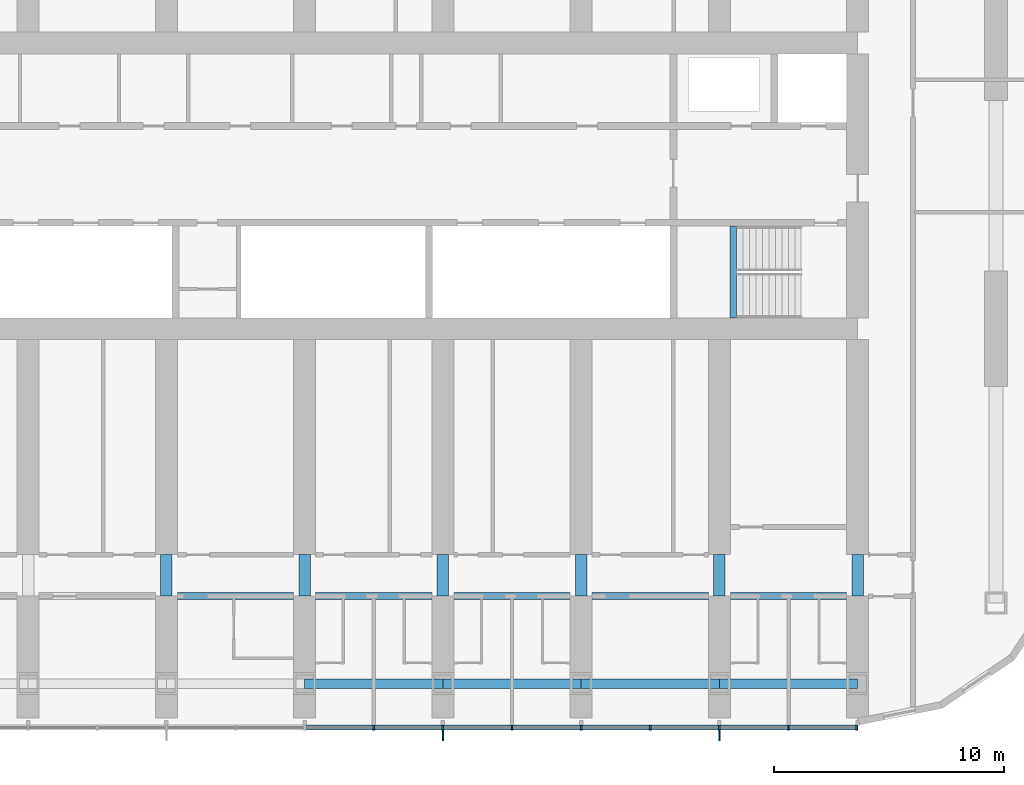
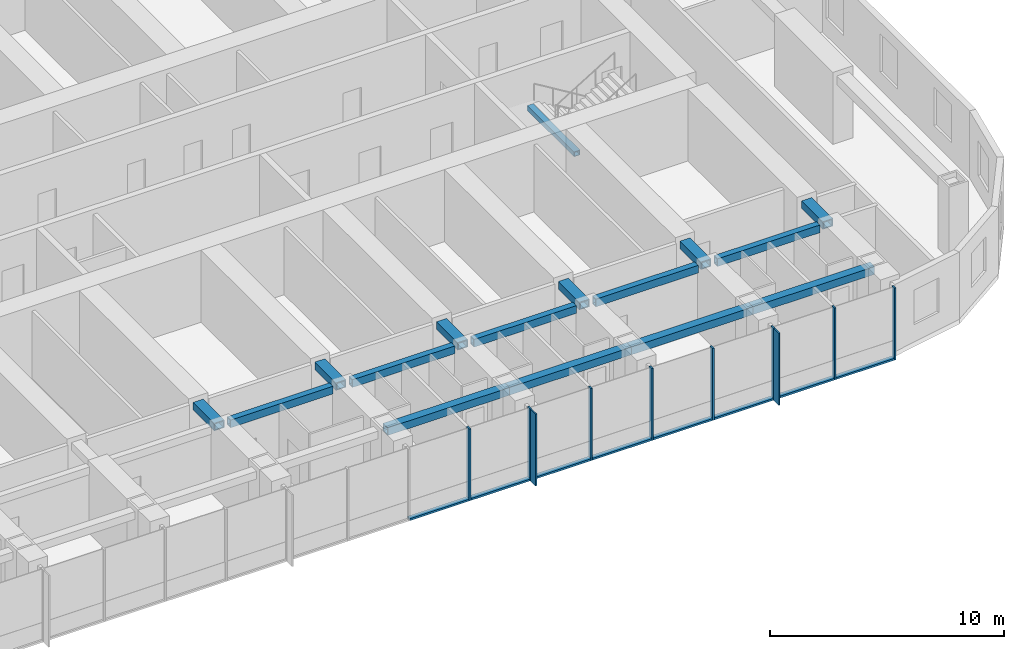
# One storey, part 3 of 21: 18 members, 16 beams, 1 element without a shape of its own.
"""IFC4 building model written with IfcOpenShell, lengths in metres."""

from ifc_helpers import new_model, si_unit, direction, frame, origin, origin_2d, place, context, subcontext, project, spatial, rectangle, hollow_rectangle, extrude, material, material_profile, profile_set, type_object, element, aggregate, save


model = new_model("IFC4")

# Units and contexts
model_context = context("Model", 3, precision=1e-05, world=origin(), true_north=direction((0.0, 1.0)))
body_context = subcontext(model_context, "Body", "Model", "MODEL_VIEW")
ifc_project = project(units=[si_unit("LENGTHUNIT", "METRE"), si_unit("AREAUNIT", "SQUARE_METRE"), si_unit("VOLUMEUNIT", "CUBIC_METRE"), si_unit("PLANEANGLEUNIT", "RADIAN"), si_unit("MASSUNIT", "GRAM", prefix="KILO")], contexts=[model_context])

# Site, building, storey
site_placement = place(None, origin())
site = spatial("IfcSite", under=ifc_project, at=site_placement, CompositionType="ELEMENT")
building_placement = place(site_placement, origin())
building = spatial("IfcBuilding", under=site, at=building_placement, Name="Orbita Commons", CompositionType="ELEMENT")
storey_placement = place(building_placement, frame((0.0, 0.0, 106.89990234375)))
storey = spatial("IfcBuildingStorey", under=building, at=storey_placement, Name="L26", CompositionType="ELEMENT", Elevation=106.89990234375)

# Curtain wall, members
ifc_material_1 = material(Name="Anodised aluminium frame, pale silver", Category="aluminium")
curtain_wall_type = type_object("IfcCurtainWallType", Name="Unitised curtain wall CW-T, vision and spandrel", PredefinedType="NOTDEFINED", material=ifc_material_1)
curtain_wall_placement = place(storey_placement, origin())
curtain_wall = element("IfcCurtainWall", 1, at=curtain_wall_placement, inside=storey, type_object=curtain_wall_type, Name="Curtain wall south L26", PredefinedType="NOTDEFINED")
ifc_material_2 = material(Name="Anodised aluminium, pale silver", Category="aluminium")
ifc_material_profile_1 = material_profile(ifc_material_2, rectangle(XDim=0.080078125, YDim=0.219970703125, at=origin_2d()), Name="AL 80x220")
ifc_profile_set_1 = profile_set([ifc_material_profile_1], Name="Anodised aluminium, pale silver")
member_type_1 = type_object("IfcMemberType", Name="Curtain wall mullion 80x220", PredefinedType="MULLION", material=ifc_profile_set_1)
member_1_placement = place(storey_placement, frame((45.0, 8.489990234375, -0.25), z_axis=(0.0, 0.0, 1.0), x_axis=(1.0, 0.0, 0.0)))
member_1 = element("IfcMember", 2, at=member_1_placement, type_object=member_type_1, Name="Mullion 12 CW-L26-S", PredefinedType="MULLION", context=body_context, shape_type="SweptSolid", body=[
    extrude(rectangle(XDim=0.080078125, YDim=0.219970703125, at=origin_2d()), origin(), (0.0, 0.0, 1.0), 3.75),
])
member_2_placement = place(storey_placement, frame((48.0, 8.489990234375, -0.25), z_axis=(0.0, 0.0, 1.0), x_axis=(1.0, 0.0, 0.0)))
member_2 = element("IfcMember", 3, at=member_2_placement, type_object=member_type_1, Name="Mullion 13 CW-L26-S", PredefinedType="MULLION", context=body_context, shape_type="SweptSolid", body=[
    extrude(rectangle(XDim=0.080078125, YDim=0.219970703125, at=origin_2d()), origin(), (0.0, 0.0, 1.0), 3.75),
])
member_3_placement = place(storey_placement, frame((51.0, 8.489990234375, -0.25), z_axis=(0.0, 0.0, 1.0), x_axis=(1.0, 0.0, 0.0)))
member_3 = element("IfcMember", 4, at=member_3_placement, type_object=member_type_1, Name="Mullion 14 CW-L26-S", PredefinedType="MULLION", context=body_context, shape_type="SweptSolid", body=[
    extrude(rectangle(XDim=0.080078125, YDim=0.219970703125, at=origin_2d()), origin(), (0.0, 0.0, 1.0), 3.75),
])
member_4_placement = place(storey_placement, frame((54.0, 8.489990234375, -0.25), z_axis=(0.0, 0.0, 1.0), x_axis=(1.0, 0.0, 0.0)))
member_4 = element("IfcMember", 5, at=member_4_placement, type_object=member_type_1, Name="Mullion 15 CW-L26-S", PredefinedType="MULLION", context=body_context, shape_type="SweptSolid", body=[
    extrude(rectangle(XDim=0.080078125, YDim=0.219970703125, at=origin_2d()), origin(), (0.0, 0.0, 1.0), 3.75),
])
member_5_placement = place(storey_placement, frame((57.0, 8.489990234375, -0.25), z_axis=(0.0, 0.0, 1.0), x_axis=(1.0, 0.0, 0.0)))
member_5 = element("IfcMember", 6, at=member_5_placement, type_object=member_type_1, Name="Mullion 16 CW-L26-S", PredefinedType="MULLION", context=body_context, shape_type="SweptSolid", body=[
    extrude(rectangle(XDim=0.080078125, YDim=0.219970703125, at=origin_2d()), origin(), (0.0, 0.0, 1.0), 3.75),
])
member_6_placement = place(storey_placement, frame((60.0, 8.489990234375, -0.25), z_axis=(0.0, 0.0, 1.0), x_axis=(1.0, 0.0, 0.0)))
member_6 = element("IfcMember", 7, at=member_6_placement, type_object=member_type_1, Name="Mullion 17 CW-L26-S", PredefinedType="MULLION", context=body_context, shape_type="SweptSolid", body=[
    extrude(rectangle(XDim=0.080078125, YDim=0.219970703125, at=origin_2d()), origin(), (0.0, 0.0, 1.0), 3.75),
])
member_7_placement = place(storey_placement, frame((63.0, 8.489990234375, -0.25), z_axis=(0.0, 0.0, 1.0), x_axis=(1.0, 0.0, 0.0)))
member_7 = element("IfcMember", 8, at=member_7_placement, type_object=member_type_1, Name="Mullion 18 CW-L26-S", PredefinedType="MULLION", context=body_context, shape_type="SweptSolid", body=[
    extrude(rectangle(XDim=0.080078125, YDim=0.219970703125, at=origin_2d()), origin(), (0.0, 0.0, 1.0), 3.75),
])
member_8_placement = place(storey_placement, frame((65.9599609375, 8.489990234375, -0.25), z_axis=(0.0, 0.0, 1.0), x_axis=(1.0, 0.0, 0.0)))
member_8 = element("IfcMember", 9, at=member_8_placement, type_object=member_type_1, Name="Mullion 19 CW-L26-S", PredefinedType="MULLION", context=body_context, shape_type="SweptSolid", body=[
    extrude(rectangle(XDim=0.080078125, YDim=0.219970703125, at=origin_2d()), origin(), (0.0, 0.0, 1.0), 3.75),
])
ifc_material_3 = material(Name="Anodised aluminium, pale silver", Category="aluminium")
ifc_material_profile_2 = material_profile(ifc_material_3, rectangle(XDim=0.219970703125, YDim=0.10009765625, at=origin_2d()), Name="AL 220x100")
ifc_profile_set_2 = profile_set([ifc_material_profile_2], Name="Anodised aluminium, pale silver")
member_type_2 = type_object("IfcMemberType", Name="Curtain wall stack transom 220x100", PredefinedType="USERDEFINED", material=ifc_profile_set_2)
member_9_placement = place(storey_placement, frame((42.0400390625, 8.489990234375, -0.199951171875), z_axis=(1.0, 0.0, 0.0), x_axis=(0.0, 1.0, 0.0)))
member_9 = element("IfcMember", 10, at=member_9_placement, type_object=member_type_2, Name="Transom 11.1 CW-L26-S", ObjectType="TRANSOM", PredefinedType="USERDEFINED", context=body_context, shape_type="SweptSolid", body=[
    extrude(rectangle(XDim=0.219970703125, YDim=0.10009765625, at=origin_2d()), origin(), (0.0, 0.0, 1.0), 2.919921875),
])
member_10_placement = place(storey_placement, frame((45.0400390625, 8.489990234375, -0.199951171875), z_axis=(1.0, 0.0, 0.0), x_axis=(0.0, 1.0, 0.0)))
member_10 = element("IfcMember", 11, at=member_10_placement, type_object=member_type_2, Name="Transom 12.1 CW-L26-S", ObjectType="TRANSOM", PredefinedType="USERDEFINED", context=body_context, shape_type="SweptSolid", body=[
    extrude(rectangle(XDim=0.219970703125, YDim=0.10009765625, at=origin_2d()), origin(), (0.0, 0.0, 1.0), 2.919921875),
])
member_11_placement = place(storey_placement, frame((48.0400390625, 8.489990234375, -0.199951171875), z_axis=(1.0, 0.0, 0.0), x_axis=(0.0, 1.0, 0.0)))
member_11 = element("IfcMember", 12, at=member_11_placement, type_object=member_type_2, Name="Transom 13.1 CW-L26-S", ObjectType="TRANSOM", PredefinedType="USERDEFINED", context=body_context, shape_type="SweptSolid", body=[
    extrude(rectangle(XDim=0.219970703125, YDim=0.10009765625, at=origin_2d()), origin(), (0.0, 0.0, 1.0), 2.919921875),
])
member_12_placement = place(storey_placement, frame((51.0400390625, 8.489990234375, -0.199951171875), z_axis=(1.0, 0.0, 0.0), x_axis=(0.0, 1.0, 0.0)))
member_12 = element("IfcMember", 13, at=member_12_placement, type_object=member_type_2, Name="Transom 14.1 CW-L26-S", ObjectType="TRANSOM", PredefinedType="USERDEFINED", context=body_context, shape_type="SweptSolid", body=[
    extrude(rectangle(XDim=0.219970703125, YDim=0.10009765625, at=origin_2d()), origin(), (0.0, 0.0, 1.0), 2.919921875),
])
member_13_placement = place(storey_placement, frame((54.0400390625, 8.489990234375, -0.199951171875), z_axis=(1.0, 0.0, 0.0), x_axis=(0.0, 1.0, 0.0)))
member_13 = element("IfcMember", 14, at=member_13_placement, type_object=member_type_2, Name="Transom 15.1 CW-L26-S", ObjectType="TRANSOM", PredefinedType="USERDEFINED", context=body_context, shape_type="SweptSolid", body=[
    extrude(rectangle(XDim=0.219970703125, YDim=0.10009765625, at=origin_2d()), origin(), (0.0, 0.0, 1.0), 2.919921875),
])
member_14_placement = place(storey_placement, frame((57.0400390625, 8.489990234375, -0.199951171875), z_axis=(1.0, 0.0, 0.0), x_axis=(0.0, 1.0, 0.0)))
member_14 = element("IfcMember", 15, at=member_14_placement, type_object=member_type_2, Name="Transom 16.1 CW-L26-S", ObjectType="TRANSOM", PredefinedType="USERDEFINED", context=body_context, shape_type="SweptSolid", body=[
    extrude(rectangle(XDim=0.219970703125, YDim=0.10009765625, at=origin_2d()), origin(), (0.0, 0.0, 1.0), 2.919921875),
])
member_15_placement = place(storey_placement, frame((60.0400390625, 8.489990234375, -0.199951171875), z_axis=(1.0, 0.0, 0.0), x_axis=(0.0, 1.0, 0.0)))
member_15 = element("IfcMember", 16, at=member_15_placement, type_object=member_type_2, Name="Transom 17.1 CW-L26-S", ObjectType="TRANSOM", PredefinedType="USERDEFINED", context=body_context, shape_type="SweptSolid", body=[
    extrude(rectangle(XDim=0.219970703125, YDim=0.10009765625, at=origin_2d()), origin(), (0.0, 0.0, 1.0), 2.919921875),
])
member_16_placement = place(storey_placement, frame((63.0400390625, 8.489990234375, -0.199951171875), z_axis=(1.0, 0.0, 0.0), x_axis=(0.0, 1.0, 0.0)))
member_16 = element("IfcMember", 17, at=member_16_placement, type_object=member_type_2, Name="Transom 18.1 CW-L26-S", ObjectType="TRANSOM", PredefinedType="USERDEFINED", context=body_context, shape_type="SweptSolid", body=[
    extrude(rectangle(XDim=0.219970703125, YDim=0.10009765625, at=origin_2d()), origin(), (0.0, 0.0, 1.0), 2.8798828125),
])

# Beams
ifc_material_4 = material(Name="Steel ASTM A572 Gr 50 welded plate", Category="steel")
ifc_material_profile_3 = material_profile(ifc_material_4, hollow_rectangle(XDim=0.300048828125, YDim=0.25, WallThickness=0.02490234375, at=origin_2d()), Name="BOX 250x300x25")
ifc_profile_set_3 = profile_set([ifc_material_profile_3], Name="Steel ASTM A572 Gr 50 welded plate")
beam_type_1 = type_object("IfcBeamType", Name="Stair landing beam steel BOX 250x300x25", PredefinedType="BEAM", material=ifc_profile_set_3)
beam_placement = place(storey_placement, frame((60.60009765625, 26.260009765625, 1.550048828125), z_axis=(0.0, 1.0, 0.0), x_axis=(-1.0, 0.0, 0.0)))
element("IfcBeam", 18, at=beam_placement, inside=storey, type_object=beam_type_1, Name="Stair S2 landing beam L26 1", PredefinedType="BEAM", context=body_context, shape_type="SweptSolid", body=[
    extrude(hollow_rectangle(XDim=0.300048828125, YDim=0.25, WallThickness=0.02490234375, at=origin_2d()), origin(), (0.0, 0.0, 1.0), 4.0048828125),
])
ifc_material_5 = material(Name="Steel ASTM A572 Gr 50 welded plate", Category="steel")
ifc_material_profile_4 = material_profile(ifc_material_5, hollow_rectangle(XDim=0.300048828125, YDim=0.39990234375, WallThickness=0.0400390625, at=origin_2d()), Name="BOX 400x300x40")
ifc_profile_set_4 = profile_set([ifc_material_profile_4], Name="Steel ASTM A572 Gr 50 welded plate")
beam_type_2 = type_object("IfcBeamType", Name="Steel corridor link BOX 400x300x40", PredefinedType="BEAM", material=ifc_profile_set_4)
for number, where, z_axis, x_axis, name in (
    (19, (36.47509765625, 14.199951171875, 3.300048828125), (1.0, 0.0, 0.0), (0.0, 1.0, 0.0), "Corridor beam SA 7-8 L26"),
    (20, (42.47509765625, 14.199951171875, 3.300048828125), (1.0, 0.0, 0.0), (0.0, 1.0, 0.0), "Corridor beam SA 8-9 L26"),
    (21, (48.47509765625, 14.199951171875, 3.300048828125), (1.0, 0.0, 0.0), (0.0, 1.0, 0.0), "Corridor beam SA 9-10 L26"),
    (22, (54.47509765625, 14.199951171875, 3.300048828125), (1.0, 0.0, 0.0), (0.0, 1.0, 0.0), "Corridor beam SA 10-11 L26"),
    (23, (60.47509765625, 14.199951171875, 3.300048828125), (1.0, 0.0, 0.0), (0.0, 1.0, 0.0), "Corridor beam SA 11-12 L26"),
):
    element("IfcBeam", number, at=place(storey_placement, frame(where, z_axis=z_axis, x_axis=x_axis)), inside=storey, type_object=beam_type_2, Name=name, PredefinedType="BEAM", context=body_context, shape_type="SweptSolid", body=[
        extrude(hollow_rectangle(XDim=0.300048828125, YDim=0.39990234375, WallThickness=0.0400390625, at=origin_2d()), origin(), (0.0, 0.0, 1.0), 5.0498046875),
    ])
ifc_material_6 = material(Name="Steel ASTM A572 Gr 50 welded plate", Category="steel")
ifc_material_profile_5 = material_profile(ifc_material_6, hollow_rectangle(XDim=0.5, YDim=0.39990234375, WallThickness=0.050048828125, at=origin_2d()), Name="BOX 400x500x50")
ifc_profile_set_5 = profile_set([ifc_material_profile_5], Name="Steel ASTM A572 Gr 50 welded plate")
beam_type_3 = type_object("IfcBeamType", Name="Steel coupling link BOX 400x500x50", PredefinedType="LINTEL", material=ifc_profile_set_5)
for number, where, z_axis, x_axis, name in (
    (24, (36.0, 14.199951171875, 3.300048828125), (0.0, 1.0, 0.0), (-1.0, 0.0, 0.0), "Coupling beam 7 south L26"),
    (25, (42.0, 14.199951171875, 3.300048828125), (0.0, 1.0, 0.0), (-1.0, 0.0, 0.0), "Coupling beam 8 south L26"),
    (26, (48.0, 14.199951171875, 3.300048828125), (0.0, 1.0, 0.0), (-1.0, 0.0, 0.0), "Coupling beam 9 south L26"),
    (27, (54.0, 14.199951171875, 3.300048828125), (0.0, 1.0, 0.0), (-1.0, 0.0, 0.0), "Coupling beam 10 south L26"),
    (28, (60.0, 14.199951171875, 3.300048828125), (0.0, 1.0, 0.0), (-1.0, 0.0, 0.0), "Coupling beam 11 south L26"),
    (29, (66.0, 14.199951171875, 3.300048828125), (0.0, 1.0, 0.0), (-1.0, 0.0, 0.0), "Coupling beam 12 south L26"),
):
    element("IfcBeam", number, at=place(storey_placement, frame(where, z_axis=z_axis, x_axis=x_axis)), inside=storey, type_object=beam_type_3, Name=name, PredefinedType="LINTEL", context=body_context, shape_type="SweptSolid", body=[
        extrude(hollow_rectangle(XDim=0.5, YDim=0.39990234375, WallThickness=0.050048828125, at=origin_2d()), origin(), (0.0, 0.0, 1.0), 1.800048828125),
    ])
ifc_material_7 = material(Name="Steel ASTM A572 Gr 50 welded plate", Category="steel")
ifc_material_profile_6 = material_profile(ifc_material_7, hollow_rectangle(XDim=0.39990234375, YDim=0.39990234375, WallThickness=0.0400390625, at=origin_2d()), Name="BOX 400x400x40")
ifc_profile_set_6 = profile_set([ifc_material_profile_6], Name="Steel ASTM A572 Gr 50 welded plate")
beam_type_4 = type_object("IfcBeamType", Name="Steel spandrel BOX 400x400x40", PredefinedType="SPANDREL", material=ifc_profile_set_6)
for number, where, z_axis, x_axis, name in (
    (30, (42.0, 10.39990234375, 3.300048828125), (1.0, 0.0, 0.0), (0.0, 1.0, 0.0), "Spandrel beam B 8-9 L26"),
    (31, (48.0, 10.39990234375, 3.300048828125), (1.0, 0.0, 0.0), (0.0, 1.0, 0.0), "Spandrel beam B 9-10 L26"),
    (32, (54.0, 10.39990234375, 3.300048828125), (1.0, 0.0, 0.0), (0.0, 1.0, 0.0), "Spandrel beam B 10-11 L26"),
    (33, (60.0, 10.39990234375, 3.300048828125), (1.0, 0.0, 0.0), (0.0, 1.0, 0.0), "Spandrel beam B 11-12 L26"),
):
    element("IfcBeam", number, at=place(storey_placement, frame(where, z_axis=z_axis, x_axis=x_axis)), inside=storey, type_object=beam_type_4, Name=name, PredefinedType="SPANDREL", context=body_context, shape_type="SweptSolid", body=[
        extrude(hollow_rectangle(XDim=0.39990234375, YDim=0.39990234375, WallThickness=0.0400390625, at=origin_2d()), origin(), (0.0, 0.0, 1.0), 6.0),
    ])

# Member
ifc_material_8 = material(Name="Anodised aluminium, pale silver", Category="aluminium")
ifc_material_profile_7 = material_profile(ifc_material_8, rectangle(XDim=0.06005859375, YDim=0.449951171875, at=origin_2d()), Name="FIN 60x450")
ifc_profile_set_7 = profile_set([ifc_material_profile_7], Name="Anodised aluminium, pale silver")
member_type_3 = type_object("IfcMemberType", Name="Vertical fin 60x450 pale aluminium", PredefinedType="USERDEFINED", material=ifc_profile_set_7)
member_17_placement = place(storey_placement, frame((48.0, 8.155029296875, -0.25), z_axis=(0.0, 0.0, 1.0), x_axis=(1.0, 0.0, 0.0)))
member_17 = element("IfcMember", 34, at=member_17_placement, type_object=member_type_3, Name="Fin 13 CW-L26-S", ObjectType="FIN", PredefinedType="USERDEFINED", context=body_context, shape_type="SweptSolid", body=[
    extrude(rectangle(XDim=0.06005859375, YDim=0.449951171875, at=origin_2d()), origin(), (0.0, 0.0, 1.0), 3.75),
])

member_18_placement = place(storey_placement, frame((60.0, 8.155029296875, -0.25), z_axis=(0.0, 0.0, 1.0), x_axis=(1.0, 0.0, 0.0)))
member_18 = element("IfcMember", 35, at=member_18_placement, type_object=member_type_3, Name="Fin 17 CW-L26-S", ObjectType="FIN", PredefinedType="USERDEFINED", context=body_context, shape_type="SweptSolid", body=[
    extrude(rectangle(XDim=0.06005859375, YDim=0.449951171875, at=origin_2d()), origin(), (0.0, 0.0, 1.0), 3.75),
])

aggregate(curtain_wall, [member_1, member_2, member_17, member_3, member_4, member_5, member_6, member_18, member_7, member_8, member_9, member_10, member_11, member_12, member_13, member_14, member_15, member_16])

save(model, "model.ifc")
